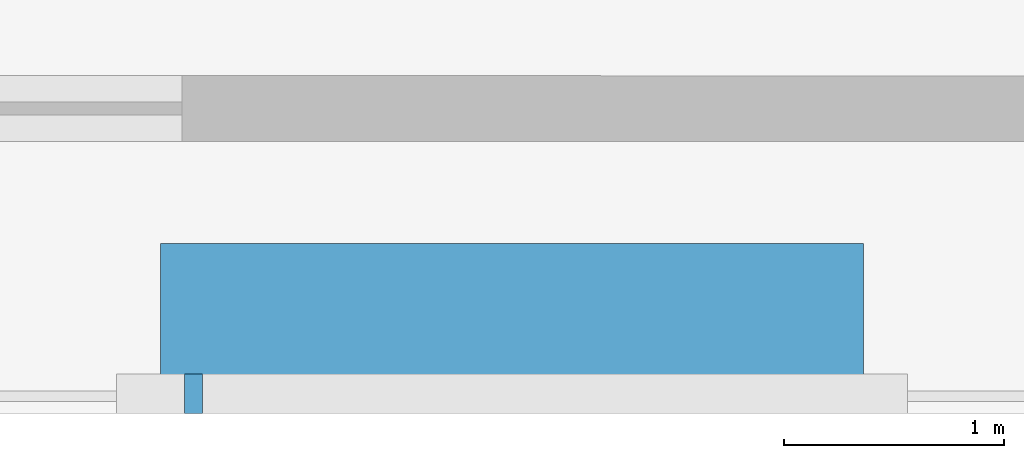
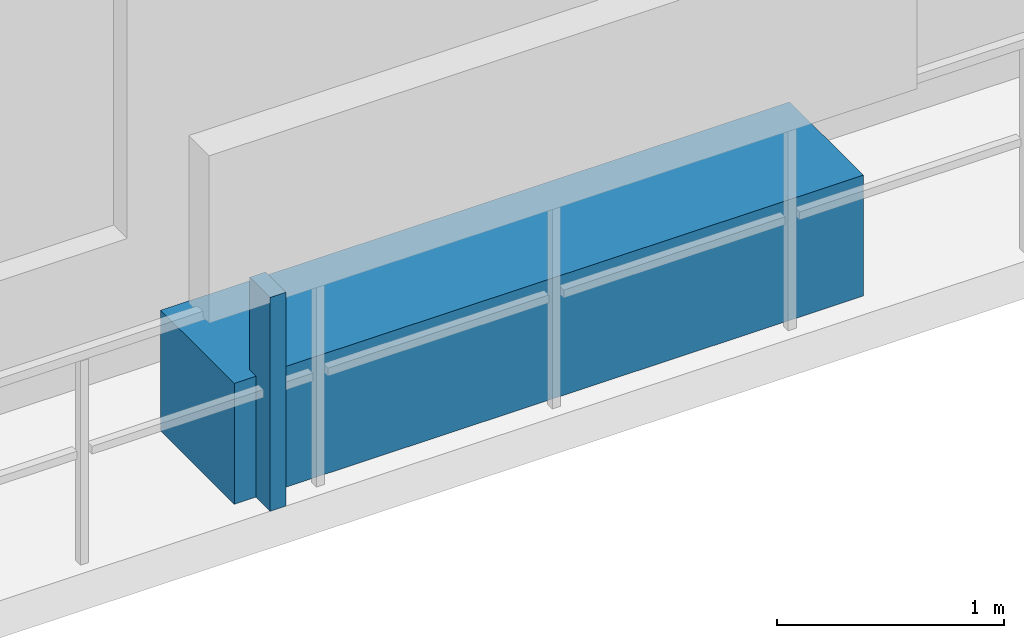
# One storey, part 27 of 32: 2 discrete accessories.
"""IFC4 building model written with IfcOpenShell, lengths in metres."""

from ifc_helpers import new_model, si_unit, direction, frame, origin, origin_2d, place, context, subcontext, project, spatial, rectangle, extrude, material, type_object, element, save


model = new_model("IFC4")

# Units and contexts
model_context = context("Model", 3, precision=1e-05, world=origin(), true_north=direction((0.0, 1.0)))
body_context = subcontext(model_context, "Body", "Model", "MODEL_VIEW")
ifc_project = project(units=[si_unit("LENGTHUNIT", "METRE"), si_unit("AREAUNIT", "SQUARE_METRE"), si_unit("VOLUMEUNIT", "CUBIC_METRE"), si_unit("PLANEANGLEUNIT", "RADIAN"), si_unit("MASSUNIT", "GRAM", prefix="KILO")], contexts=[model_context])

# Site, building, storey
site_placement = place(None, origin())
site = spatial("IfcSite", under=ifc_project, at=site_placement, CompositionType="ELEMENT")
building_placement = place(site_placement, origin())
building = spatial("IfcBuilding", under=site, at=building_placement, Name="Thornwick Lancets Civic Towers", CompositionType="ELEMENT")
storey_placement = place(building_placement, frame((0.0, 0.0, 152.699951171875)))
storey = spatial("IfcBuildingStorey", under=building, at=storey_placement, Name="L40", CompositionType="ELEMENT", Elevation=152.699951171875)

# Discrete accessories
ifc_material_1 = material(Name="Planted terracotta greenery planter", Category="masonry")
discrete_accessory_type_1 = type_object("IfcDiscreteAccessoryType", Name="ACC_PLANTER_BOX", PredefinedType="USERDEFINED", material=ifc_material_1)
discrete_accessory_1_placement = place(storey_placement, frame((25.5, 2.300048828125, 0.0), z_axis=(0.0, 0.0, 1.0), x_axis=(1.0, 0.0, 0.0)))
element("IfcDiscreteAccessory", 1, at=discrete_accessory_1_placement, inside=storey, type_object=discrete_accessory_type_1, Name="L40 Tower A Balcony Greenery Planter S", ObjectType="PLANTER", PredefinedType="USERDEFINED", context=body_context, shape_type="SweptSolid", body=[
    extrude(rectangle(XDim=3.199951171875, YDim=0.64990234375, at=origin_2d()), origin(), (0.0, 0.0, 1.0), 0.64990234375),
])
ifc_material_2 = material(Name="Stainless steel S355", Category="steel")
discrete_accessory_type_2 = type_object("IfcDiscreteAccessoryType", Name="ACC_SCREEN_BRACKET", PredefinedType="BRACKET", material=ifc_material_2)
discrete_accessory_2_placement = place(storey_placement, frame((24.050048828125, 1.93994140625, 0.0), z_axis=(0.0, 0.0, 1.0), x_axis=(1.0, 0.0, 0.0)))
element("IfcDiscreteAccessory", 2, at=discrete_accessory_2_placement, inside=storey, type_object=discrete_accessory_type_2, Name="L40 Tower A Balcony Screen Stanchion Bracket S-1", PredefinedType="BRACKET", context=body_context, shape_type="SweptSolid", body=[
    extrude(rectangle(XDim=0.080078125, YDim=0.179931640625, at=origin_2d()), origin(), (0.0, 0.0, 1.0), 1.14990234375),
])

save(model, "model.ifc")
